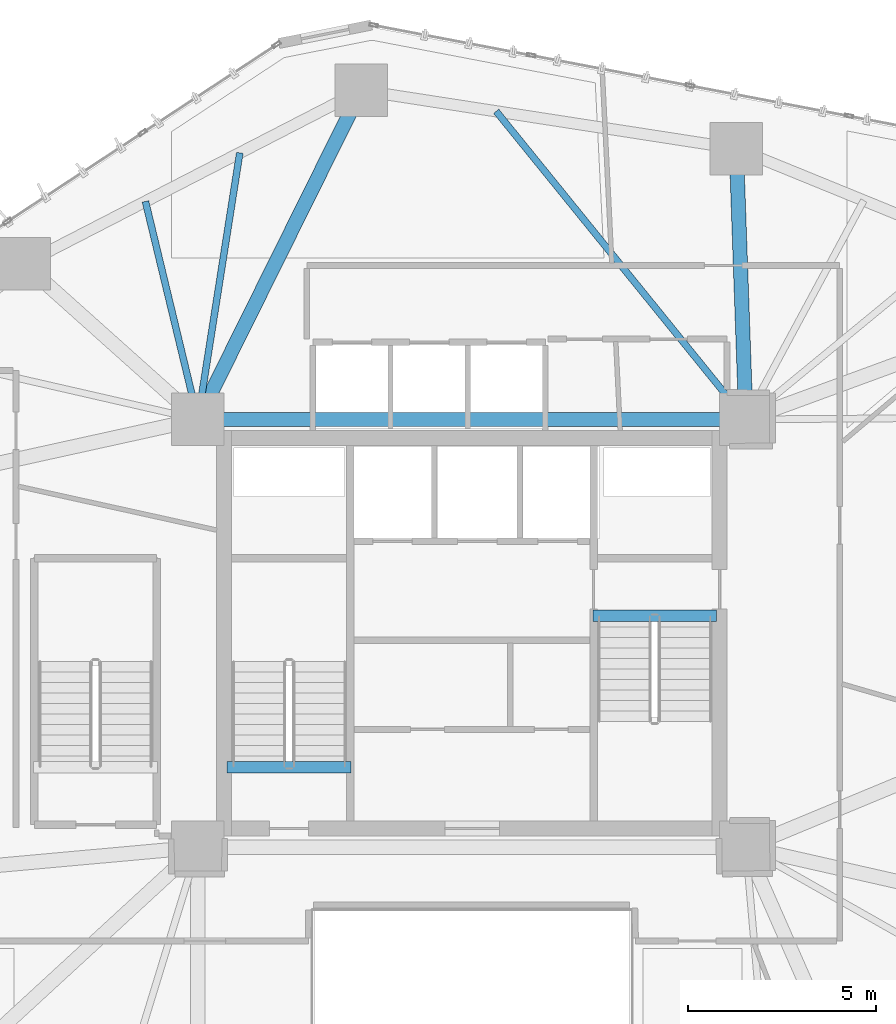
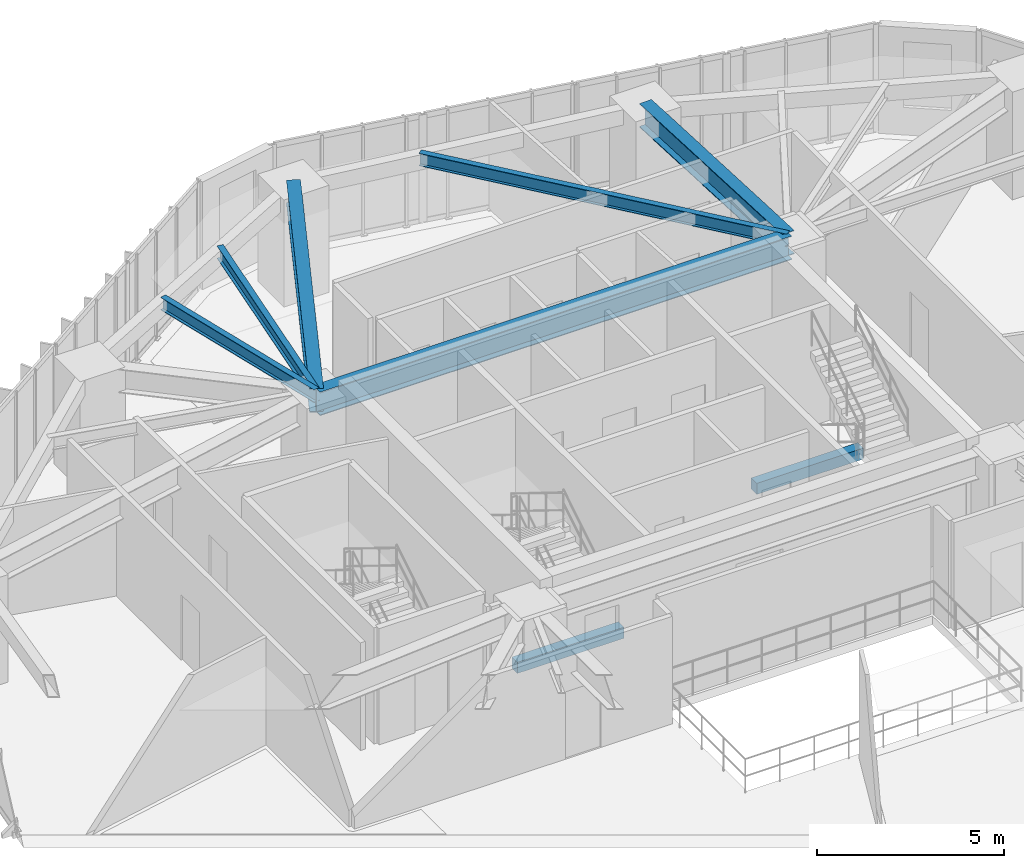
# One storey, part 7 of 20: 8 beams.
"""IFC4 building model written with IfcOpenShell, lengths in metres."""

from ifc_helpers import new_model, si_unit, direction, frame, origin, origin_2d, place, context, subcontext, project, spatial, rectangle, i_section, extrude, material, material_profile, profile_set, type_object, element, save


model = new_model("IFC4")

# Units and contexts
model_context = context("Model", 3, precision=1e-05, world=origin(), true_north=direction((0.0, 1.0)))
body_context = subcontext(model_context, "Body", "Model", "MODEL_VIEW")
ifc_project = project(units=[si_unit("LENGTHUNIT", "METRE"), si_unit("AREAUNIT", "SQUARE_METRE"), si_unit("VOLUMEUNIT", "CUBIC_METRE"), si_unit("PLANEANGLEUNIT", "RADIAN"), si_unit("MASSUNIT", "GRAM", prefix="KILO")], contexts=[model_context])

# Site, building, storey
site_placement = place(None, origin())
site = spatial("IfcSite", under=ifc_project, at=site_placement, CompositionType="ELEMENT")
building_placement = place(site_placement, origin())
building = spatial("IfcBuilding", under=site, at=building_placement, Name="Talar Marvaseh", CompositionType="ELEMENT")
storey_placement = place(building_placement, frame((0.0, 0.0, 58.199951171875)))
storey = spatial("IfcBuildingStorey", under=building, at=storey_placement, Name="L14", CompositionType="ELEMENT", Elevation=58.199951171875)

# Beams
ifc_material_1 = material(Name="Concrete C40/50", Category="concrete")
ifc_material_profile_1 = material_profile(ifc_material_1, rectangle(XDim=0.300048828125, YDim=0.360107421875, at=origin_2d()), Name="RC300x360")
ifc_profile_set_1 = profile_set([ifc_material_profile_1], Name="Concrete C40/50")
beam_type_1 = type_object("IfcBeamType", Name="Concrete Stair Landing Trimmer Beam RC300x360", PredefinedType="SPANDREL", material=ifc_profile_set_1)
for number, where, z_axis, x_axis, name in (
    (1, (22.780029296875, 27.6298828125, -0.179931640625), (-1.0, 0.0, 0.0), (0.0, -1.0, 0.0), "L14 ST-1 Stair Nosing Trimmer Beam"),
    (2, (29.219970703125, 31.669921875, -0.179931640625), (1.0, 0.0, 0.0), (0.0, 1.0, 0.0), "L14 ST-2 Stair Nosing Trimmer Beam"),
):
    element("IfcBeam", number, at=place(storey_placement, frame(where, z_axis=z_axis, x_axis=x_axis)), inside=storey, type_object=beam_type_1, Name=name, PredefinedType="SPANDREL", context=body_context, shape_type="SweptSolid", body=[
        extrude(rectangle(XDim=0.300048828125, YDim=0.360107421875, at=origin_2d()), origin(), (0.0, 0.0, 1.0), 3.300048828125),
    ])
ifc_material_2 = material(Name="Steel S355", Category="steel")
ifc_material_profile_2 = material_profile(ifc_material_2, i_section(OverallWidth=0.381103515625, OverallDepth=0.77294921875, WebThickness=0.0166015625, FlangeThickness=0.027099609375, at=origin_2d()), Name="W760x257")
ifc_profile_set_2 = profile_set([ifc_material_profile_2], Name="Steel S355")
beam_type_2 = type_object("IfcBeamType", Name="Zone 1 Radial Floor Girder W760x257", PredefinedType="BEAM", material=ifc_profile_set_2)
beam_1_placement = place(storey_placement, frame((18.699951171875, 36.89990234375, 3.133544921875), z_axis=(1.0, 0.0, 0.0), x_axis=(0.0, 1.0, 0.0)))
element("IfcBeam", 3, at=beam_1_placement, inside=storey, type_object=beam_type_2, Name="L14 Zone 1 Radial Floor Girder W760x257", PredefinedType="BEAM", context=body_context, shape_type="SweptSolid", body=[
    extrude(i_section(OverallWidth=0.381103515625, OverallDepth=0.77294921875, WebThickness=0.0166015625, FlangeThickness=0.027099609375, at=origin_2d()), origin(), (0.0, 0.0, 1.0), 14.60009765625),
])
beam_2_placement = place(storey_placement, frame((23.047119140625, 45.6669921875, 3.133544921875), z_axis=(-0.444237233911, -0.895909191831, 0.0), x_axis=(0.895909191831, -0.444237233911, 0.0)))
element("IfcBeam", 4, at=beam_2_placement, inside=storey, type_object=beam_type_2, Name="L14 Zone 1 Radial Floor Girder W760x257", PredefinedType="BEAM", context=body_context, shape_type="SweptSolid", body=[
    extrude(i_section(OverallWidth=0.381103515625, OverallDepth=0.77294921875, WebThickness=0.0166015625, FlangeThickness=0.027099609375, at=origin_2d()), origin(), (0.0, 0.0, 1.0), 9.78564453125),
])
beam_3_placement = place(storey_placement, frame((33.0458984375, 44.117919921875, 3.133544921875), z_axis=(0.03518874657, -0.999380684281, 0.0), x_axis=(0.999380684281, 0.03518874657, 0.0)))
element("IfcBeam", 5, at=beam_3_placement, inside=storey, type_object=beam_type_2, Name="L14 Zone 1 Radial Floor Girder W760x257", PredefinedType="BEAM", context=body_context, shape_type="SweptSolid", body=[
    extrude(i_section(OverallWidth=0.381103515625, OverallDepth=0.77294921875, WebThickness=0.0166015625, FlangeThickness=0.027099609375, at=origin_2d()), origin(), (0.0, 0.0, 1.0), 7.222412109375),
])
ifc_material_profile_3 = material_profile(ifc_material_2, i_section(OverallWidth=0.179931640625, OverallDepth=0.4130859375, WebThickness=0.009765625, FlangeThickness=0.01611328125, at=origin_2d()), Name="W410x75")
ifc_profile_set_3 = profile_set([ifc_material_profile_3], Name="Steel S355")
beam_type_3 = type_object("IfcBeamType", Name="Zone 1 Secondary Floor Joist W410x75", PredefinedType="JOIST", material=ifc_profile_set_3)
beam_4_placement = place(storey_placement, frame((17.301025390625, 42.70751953125, 3.3134765625), z_axis=(0.234179742477, -0.972193318334, 0.0), x_axis=(0.972193318334, 0.234179742477, 0.0)))
element("IfcBeam", 6, at=beam_4_placement, inside=storey, type_object=beam_type_3, Name="L14 Zone 1 Secondary Floor Joist W410x75", PredefinedType="JOIST", context=body_context, shape_type="SweptSolid", body=[
    extrude(i_section(OverallWidth=0.179931640625, OverallDepth=0.4130859375, WebThickness=0.009765625, FlangeThickness=0.01611328125, at=origin_2d()), origin(), (0.0, 0.0, 1.0), 5.9736328125),
])
beam_5_placement = place(storey_placement, frame((19.81494140625, 44.00244140625, 3.3134765625), z_axis=(-0.15508539052, -0.987901068755, 0.0), x_axis=(0.987901068755, -0.15508539052, 0.0)))
element("IfcBeam", 7, at=beam_5_placement, inside=storey, type_object=beam_type_3, Name="L14 Zone 1 Secondary Floor Joist W410x75", PredefinedType="JOIST", context=body_context, shape_type="SweptSolid", body=[
    extrude(i_section(OverallWidth=0.179931640625, OverallDepth=0.4130859375, WebThickness=0.009765625, FlangeThickness=0.01611328125, at=origin_2d()), origin(), (0.0, 0.0, 1.0), 7.189453125),
])
beam_6_placement = place(storey_placement, frame((26.646484375, 45.109375, 3.3134765625), z_axis=(0.629644089062, -0.776883724317, 0.0), x_axis=(0.776883724317, 0.629644089062, 0.0)))
element("IfcBeam", 8, at=beam_6_placement, inside=storey, type_object=beam_type_3, Name="L14 Zone 1 Secondary Floor Joist W410x75", PredefinedType="JOIST", context=body_context, shape_type="SweptSolid", body=[
    extrude(i_section(OverallWidth=0.179931640625, OverallDepth=0.4130859375, WebThickness=0.009765625, FlangeThickness=0.01611328125, at=origin_2d()), origin(), (0.0, 0.0, 1.0), 10.567138671875),
])

save(model, "model.ifc")
